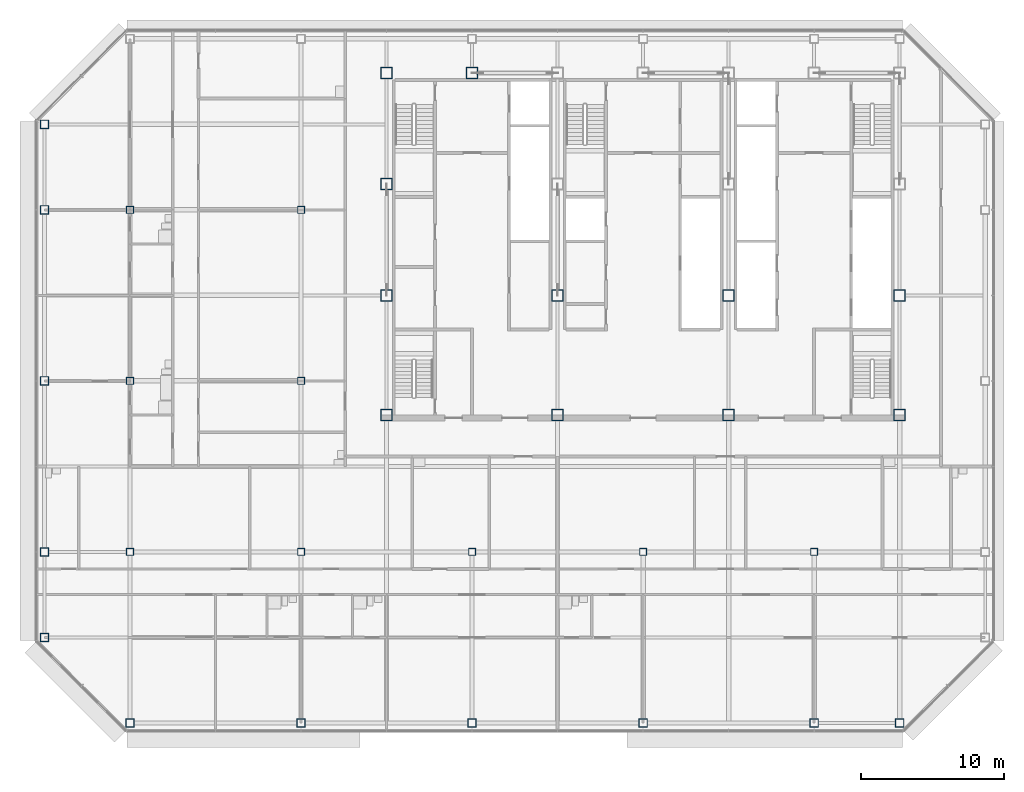
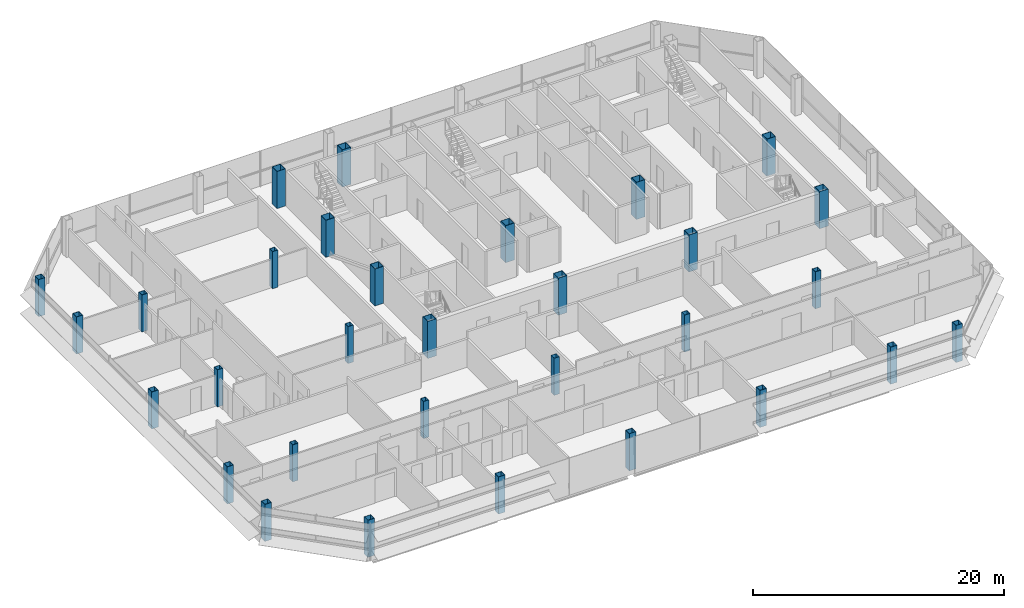
# One storey, part 1 of 27: 31 columns.
"""IFC4 building model written with IfcOpenShell, lengths in metres."""

from ifc_helpers import new_model, si_unit, direction, frame, origin, origin_2d, place, context, subcontext, project, spatial, hollow_rectangle, extrude, material, material_profile, profile_set, type_object, element, save


model = new_model("IFC4")

# Units and contexts
model_context = context("Model", 3, precision=1e-05, world=origin(), true_north=direction((0.0, 1.0)))
body_context = subcontext(model_context, "Body", "Model", "MODEL_VIEW")
ifc_project = project(units=[si_unit("LENGTHUNIT", "METRE"), si_unit("AREAUNIT", "SQUARE_METRE"), si_unit("VOLUMEUNIT", "CUBIC_METRE"), si_unit("PLANEANGLEUNIT", "RADIAN"), si_unit("MASSUNIT", "GRAM", prefix="KILO")], contexts=[model_context])

# Site, building, storey
site_placement = place(None, origin())
site = spatial("IfcSite", under=ifc_project, at=site_placement, CompositionType="ELEMENT")
building_placement = place(site_placement, origin())
building = spatial("IfcBuilding", under=site, at=building_placement, Name="Sorahane Residences", CompositionType="ELEMENT")
storey_placement = place(building_placement, frame((0.0, 0.0, 294.39990234375)))
storey = spatial("IfcBuildingStorey", under=building, at=storey_placement, Name="L69", CompositionType="ELEMENT", Elevation=294.39990234375)

# Columns
ifc_material_1 = material(Name="Steel Q355B", Category="steel")
ifc_material_profile_1 = material_profile(ifc_material_1, hollow_rectangle(XDim=0.5, YDim=0.5, WallThickness=0.02490234375, at=origin_2d()), Name="BOX 500x500x25")
ifc_profile_set_1 = profile_set([ifc_material_profile_1], Name="Steel Q355B")
column_type_1 = type_object("IfcColumnType", Name="Steel box column BOX 500x500x25 Q355B", PredefinedType="COLUMN", material=ifc_profile_set_1)
for number, where, z_axis, x_axis, name in (
    (1, (-12.0, 12.0, 0.0), (0.0, 0.0, 1.0), (1.0, 0.0, 0.0), "Column L69 m12/12"),
    (2, (-12.0, 24.0, 0.0), (0.0, 0.0, 1.0), (1.0, 0.0, 0.0), "Column L69 m12/24"),
    (3, (-12.0, 36.0, 0.0), (0.0, 0.0, 1.0), (1.0, 0.0, 0.0), "Column L69 m12/36"),
    (4, (0.0, 12.0, 0.0), (0.0, 0.0, 1.0), (1.0, 0.0, 0.0), "Column L69 0/12"),
    (5, (0.0, 24.0, 0.0), (0.0, 0.0, 1.0), (1.0, 0.0, 0.0), "Column L69 0/24"),
    (6, (0.0, 36.0, 0.0), (0.0, 0.0, 1.0), (1.0, 0.0, 0.0), "Column L69 0/36"),
    (7, (12.0, 12.0, 0.0), (0.0, 0.0, 1.0), (1.0, 0.0, 0.0), "Column L69 12/12"),
    (8, (24.0, 12.0, 0.0), (0.0, 0.0, 1.0), (1.0, 0.0, 0.0), "Column L69 24/12"),
    (9, (36.0, 12.0, 0.0), (0.0, 0.0, 1.0), (1.0, 0.0, 0.0), "Column L69 36/12"),
):
    element("IfcColumn", number, at=place(storey_placement, frame(where, z_axis=z_axis, x_axis=x_axis)), inside=storey, type_object=column_type_1, Name=name, PredefinedType="COLUMN", context=body_context, shape_type="SweptSolid", body=[
        extrude(hollow_rectangle(XDim=0.5, YDim=0.5, WallThickness=0.02490234375, at=origin_2d()), origin(), (0.0, 0.0, 1.0), 3.60009765625),
    ])
ifc_material_2 = material(Name="Steel Q355B", Category="steel")
ifc_material_profile_2 = material_profile(ifc_material_2, hollow_rectangle(XDim=0.60009765625, YDim=0.60009765625, WallThickness=0.028076171875, at=origin_2d()), Name="BOX 600x600x28")
ifc_profile_set_2 = profile_set([ifc_material_profile_2], Name="Steel Q355B")
column_type_2 = type_object("IfcColumnType", Name="Steel box column BOX 600x600x28 Q355B", PredefinedType="COLUMN", material=ifc_profile_set_2)
for number, where, z_axis, x_axis, name in (
    (10, (-18.0, 6.0, 0.0), (0.0, 0.0, 1.0), (1.0, 0.0, 0.0), "Column L69 m18/6"),
    (11, (-18.0, 12.0, 0.0), (0.0, 0.0, 1.0), (1.0, 0.0, 0.0), "Column L69 m18/12"),
    (12, (-18.0, 24.0, 0.0), (0.0, 0.0, 1.0), (1.0, 0.0, 0.0), "Column L69 m18/24"),
    (13, (-18.0, 36.0, 0.0), (0.0, 0.0, 1.0), (1.0, 0.0, 0.0), "Column L69 m18/36"),
    (14, (-18.0, 42.0, 0.0), (0.0, 0.0, 1.0), (1.0, 0.0, 0.0), "Column L69 m18/42"),
    (15, (-12.0, 0.0, 0.0), (0.0, 0.0, 1.0), (1.0, 0.0, 0.0), "Column L69 m12/0"),
    (16, (0.0, 0.0, 0.0), (0.0, 0.0, 1.0), (1.0, 0.0, 0.0), "Column L69 0/0"),
    (17, (12.0, 0.0, 0.0), (0.0, 0.0, 1.0), (1.0, 0.0, 0.0), "Column L69 12/0"),
    (18, (24.0, 0.0, 0.0), (0.0, 0.0, 1.0), (1.0, 0.0, 0.0), "Column L69 24/0"),
    (19, (36.0, 0.0, 0.0), (0.0, 0.0, 1.0), (1.0, 0.0, 0.0), "Column L69 36/0"),
    (20, (42.0, 0.0, 0.0), (0.0, 0.0, 1.0), (1.0, 0.0, 0.0), "Column L69 42/0"),
):
    element("IfcColumn", number, at=place(storey_placement, frame(where, z_axis=z_axis, x_axis=x_axis)), inside=storey, type_object=column_type_2, Name=name, PredefinedType="COLUMN", context=body_context, shape_type="SweptSolid", body=[
        extrude(hollow_rectangle(XDim=0.60009765625, YDim=0.60009765625, WallThickness=0.028076171875, at=origin_2d()), origin(), (0.0, 0.0, 1.0), 3.60009765625),
    ])
ifc_material_3 = material(Name="Steel Q355B", Category="steel")
ifc_material_profile_3 = material_profile(ifc_material_3, hollow_rectangle(XDim=0.800048828125, YDim=0.800048828125, WallThickness=0.031982421875, at=origin_2d()), Name="BOX 800x800x32")
ifc_profile_set_3 = profile_set([ifc_material_profile_3], Name="Steel Q355B")
column_type_3 = type_object("IfcColumnType", Name="Steel box column BOX 800x800x32 Q355B", PredefinedType="COLUMN", material=ifc_profile_set_3)
for number, where, z_axis, x_axis, name in (
    (21, (6.0, 21.60009765625, 0.0), (0.0, 0.0, 1.0), (1.0, 0.0, 0.0), "Column L69 6/21.6"),
    (22, (6.0, 30.0, 0.0), (0.0, 0.0, 1.0), (1.0, 0.0, 0.0), "Column L69 6/30"),
    (23, (6.0, 37.800048828125, 0.0), (0.0, 0.0, 1.0), (1.0, 0.0, 0.0), "Column L69 6/37.8"),
    (24, (6.0, 45.60009765625, 0.0), (0.0, 0.0, 1.0), (1.0, 0.0, 0.0), "Column L69 6/45.6"),
    (25, (12.0, 45.60009765625, 0.0), (0.0, 0.0, 1.0), (1.0, 0.0, 0.0), "Column L69 12/45.6"),
    (26, (18.0, 21.60009765625, 0.0), (0.0, 0.0, 1.0), (1.0, 0.0, 0.0), "Column L69 18/21.6"),
    (27, (18.0, 30.0, 0.0), (0.0, 0.0, 1.0), (1.0, 0.0, 0.0), "Column L69 18/30"),
    (28, (30.0, 21.60009765625, 0.0), (0.0, 0.0, 1.0), (1.0, 0.0, 0.0), "Column L69 30/21.6"),
    (29, (30.0, 30.0, 0.0), (0.0, 0.0, 1.0), (1.0, 0.0, 0.0), "Column L69 30/30"),
    (30, (42.0, 21.60009765625, 0.0), (0.0, 0.0, 1.0), (1.0, 0.0, 0.0), "Column L69 42/21.6"),
    (31, (42.0, 30.0, 0.0), (0.0, 0.0, 1.0), (1.0, 0.0, 0.0), "Column L69 42/30"),
):
    element("IfcColumn", number, at=place(storey_placement, frame(where, z_axis=z_axis, x_axis=x_axis)), inside=storey, type_object=column_type_3, Name=name, PredefinedType="COLUMN", context=body_context, shape_type="SweptSolid", body=[
        extrude(hollow_rectangle(XDim=0.800048828125, YDim=0.800048828125, WallThickness=0.031982421875, at=origin_2d()), origin(), (0.0, 0.0, 1.0), 3.60009765625),
    ])

save(model, "model.ifc")
